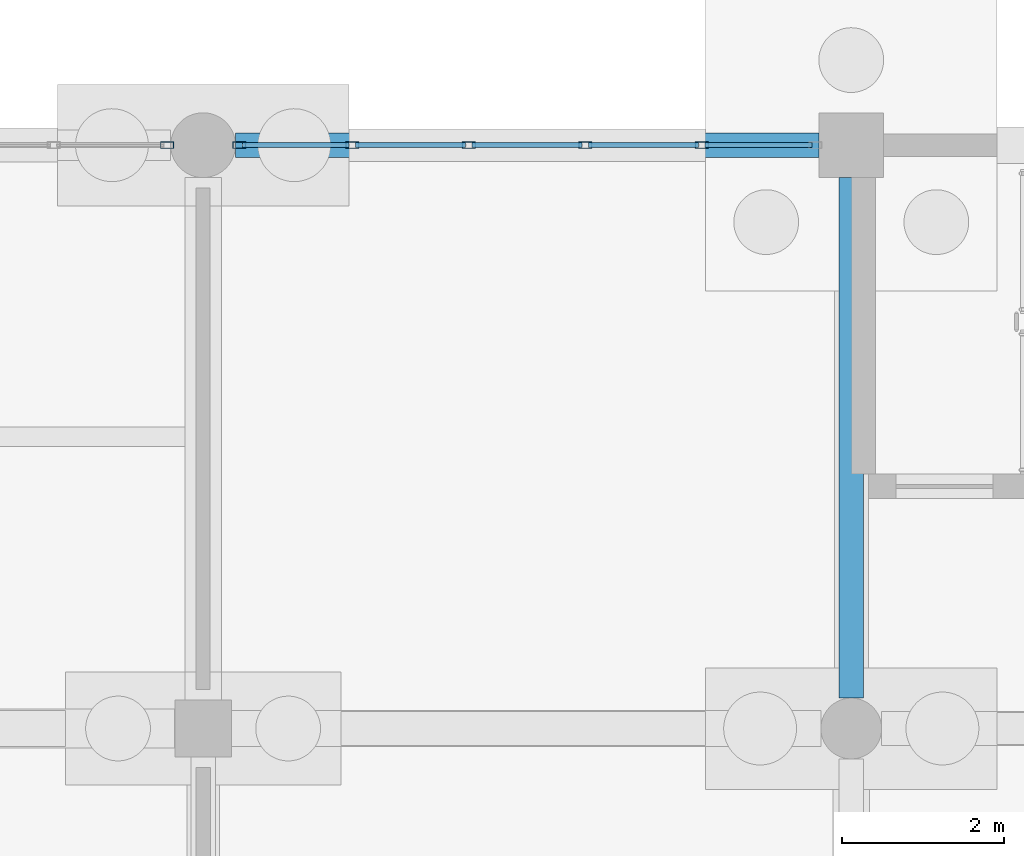
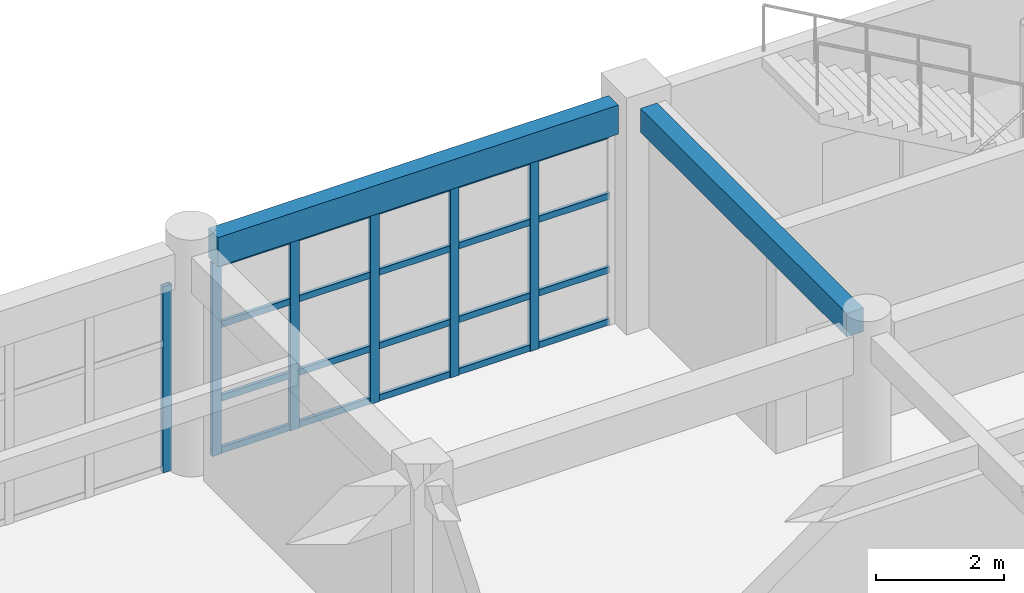
# One storey, part 64 of 166: 26 members, 2 beams, 2 elements without a shape of their own.
"""IFC4 building model written with IfcOpenShell, lengths in metres."""

import ifcopenshell
import ifcopenshell.guid

model = None  # the IFC model being written
_history = None  # IfcOwnerHistory: only IFC2X3 demands one
_inside = {}  # id of a spatial element -> (the spatial element, [elements in it])
_under = {}  # id of a project, library or spatial element -> (it, [spatial elements below it])
_declared = {}  # id of a project -> (the project, [libraries it declares])
_typed = {}  # id of a type object -> (the type object, [elements of that type])
_made_of = {}  # id of a material, layer set ... -> (it, [elements and type objects made of it])


def new_model(schema):
    """Start an empty IFC model of exactly this schema.

    Asked for "IFC4X3", IfcOpenShell would pick the latest addendum, in which some entities
    have other attributes; the version numbers below select the first issue.
    IFC2X3 requires an IfcOwnerHistory on every rooted entity: one is made here for all.
    """
    global model, _history
    if schema == "IFC4X3":
        model = ifcopenshell.file(schema_version=(4, 3, 0, 0))
    else:
        model = ifcopenshell.file(schema=schema)
    _inside.clear()
    _under.clear()
    _declared.clear()
    _typed.clear()
    _made_of.clear()
    _history = None
    if model.schema == "IFC2X3":
        org = make("IfcOrganization", Name="unknown")
        user = make(
            "IfcPersonAndOrganization",
            ThePerson=make("IfcPerson", FamilyName="unknown"),
            TheOrganization=org,
        )
        app = make(
            "IfcApplication",
            ApplicationDeveloper=org,
            Version="unknown",
            ApplicationFullName="unknown",
            ApplicationIdentifier="unknown",
        )
        _history = make(
            "IfcOwnerHistory",
            OwningUser=user,
            OwningApplication=app,
            ChangeAction="ADDED",
            CreationDate=0,
        )
    return model


def make(cls, **values):
    """One entity of the class cls with the attributes given. An attribute that is None is left unset."""
    return model.create_entity(
        cls, **{name: value for name, value in values.items() if value is not None}
    )


def rooted(cls, **values):
    """An entity with a GlobalId (a new one), such as an element, a storey or a relation."""
    return make(cls, GlobalId=ifcopenshell.guid.new(), OwnerHistory=_history, **values)


def si_unit(unit_type, name, prefix=None):
    """IfcSIUnit, for example si_unit("LENGTHUNIT", "METRE", prefix="MILLI")."""
    return make("IfcSIUnit", UnitType=unit_type, Prefix=prefix, Name=name)


def assignment(units):
    """IfcUnitAssignment: the units of a project."""
    return None if units is None else make("IfcUnitAssignment", Units=units)


def point(xyz):
    """IfcCartesianPoint."""
    return None if xyz is None else make("IfcCartesianPoint", Coordinates=xyz)


def direction(xyz):
    """IfcDirection."""
    return None if xyz is None else make("IfcDirection", DirectionRatios=xyz)


def frame(location, z_axis=None, x_axis=None):
    """IfcAxis2Placement3D, a coordinate frame: its origin and axes. An axis left out is left unset."""
    return make(
        "IfcAxis2Placement3D",
        Location=point(location),
        Axis=direction(z_axis),
        RefDirection=direction(x_axis),
    )


def frame_2d(location, x_axis=None):
    """IfcAxis2Placement2D, a coordinate frame in the plane: its origin and x axis."""
    return make(
        "IfcAxis2Placement2D", Location=point(location), RefDirection=direction(x_axis)
    )


def origin():
    """The frame at (0, 0, 0) with its axes left unset."""
    return frame((0.0, 0.0, 0.0))


def origin_2d():
    """The frame at (0, 0) in the plane with its x axis left unset."""
    return frame_2d((0.0, 0.0))


def place(relative_to, where):
    """IfcLocalPlacement: puts the frame where relative to a parent placement (None: the world)."""
    return make(
        "IfcLocalPlacement", PlacementRelTo=relative_to, RelativePlacement=where
    )


def context(
    kind, dimensions, precision=None, world=None, true_north=None, identifier=None
):
    """IfcGeometricRepresentationContext, for example the 3D "Model" context."""
    return make(
        "IfcGeometricRepresentationContext",
        ContextIdentifier=identifier,
        ContextType=kind,
        CoordinateSpaceDimension=dimensions,
        Precision=precision,
        WorldCoordinateSystem=world,
        TrueNorth=true_north,
    )


def subcontext(parent, identifier, kind, view, scale=None):
    """IfcGeometricRepresentationSubContext, for example "Body" below "Model"."""
    return make(
        "IfcGeometricRepresentationSubContext",
        ContextIdentifier=identifier,
        ContextType=kind,
        ParentContext=parent,
        TargetScale=scale,
        TargetView=view,
    )


def project(units=None, contexts=None):
    """IfcProject with its units and contexts."""
    return rooted(
        "IfcProject",
        Name="project",
        RepresentationContexts=contexts,
        UnitsInContext=assignment(units),
    )


def spatial(cls, under=None, at=None, **own):
    """A site, building, storey or space (cls), placed at a placement, below another one or the project."""
    s = rooted(cls, ObjectPlacement=at, **own)
    if under is not None:
        _under.setdefault(under.id(), (under, []))[1].append(s)
    return s


def profile(cls, at=None, kind="AREA", **sizes):
    """A parametric profile (cls). Its sizes go by their IFC names, for example OverallWidth=200.0."""
    return make(cls, ProfileType=kind, Position=at, **sizes)


def rectangle(**sizes):
    """IfcRectangleProfileDef."""
    return profile("IfcRectangleProfileDef", **sizes)


def hollow_rectangle(**sizes):
    """IfcRectangleHollowProfileDef."""
    return profile("IfcRectangleHollowProfileDef", **sizes)


def extrude(swept, where, along, depth):
    """IfcExtrudedAreaSolid: the profile swept, set in the frame where, extruded along a direction by depth."""
    return make(
        "IfcExtrudedAreaSolid",
        SweptArea=swept,
        Position=where,
        ExtrudedDirection=direction(along),
        Depth=depth,
    )


def shape(context_of_items, identifier, shape_type, items):
    """IfcShapeRepresentation: the items that make up one representation, for example the "Body"."""
    return make(
        "IfcShapeRepresentation",
        ContextOfItems=context_of_items,
        RepresentationIdentifier=identifier,
        RepresentationType=shape_type,
        Items=items,
    )


def material(Name=None, Category=None):
    """IfcMaterial."""
    return make("IfcMaterial", Name=Name, Category=Category)


def material_profile(
    of_material, cross_section, Name=None, Category=None, Priority=None
):
    """IfcMaterialProfile: a cross section and its material."""
    return make(
        "IfcMaterialProfile",
        Name=Name,
        Material=of_material,
        Profile=cross_section,
        Priority=Priority,
        Category=Category,
    )


def profile_set(profiles, Name=None, composite=None):
    """IfcMaterialProfileSet."""
    return make(
        "IfcMaterialProfileSet",
        Name=Name,
        MaterialProfiles=profiles,
        CompositeProfile=composite,
    )


def made_of(thing, what):
    """Note that an element or type object is made of a material, layer set ...; save() writes the relation."""
    if what is not None:
        _made_of.setdefault(what.id(), (what, []))[1].append(thing)
    return thing


def type_object(cls, material=None, **own):
    """A type object (cls), such as IfcWallType, which elements share."""
    return made_of(rooted(cls, **own), material)


def element(
    cls,
    number,
    at=None,
    inside=None,
    cuts=None,
    type_object=None,
    material=None,
    context=None,
    identifier="Body",
    shape_type=None,
    held_by="IfcProductDefinitionShape",
    body=None,
    shapes=None,
    **own,
):
    """One element of the class cls, such as IfcWall. Its Tag is "e" and its number.

    at: its placement. inside: the storey or other place that contains it. cuts: it is an
    opening in that element (IfcRelVoidsElement). A single representation is given by context,
    identifier, shape_type and body (its items); several are given by shapes. held_by: the class
    of the entity that holds the representations. save() writes the other relations.
    """
    e = rooted(cls, Tag="e%d" % number, ObjectPlacement=at, **own)
    if body is not None:
        shapes = [shape(context, identifier, shape_type, body)]
    if shapes is not None:
        e.Representation = make(held_by, Representations=shapes)
    if inside is not None:
        _inside.setdefault(inside.id(), (inside, []))[1].append(e)
    if cuts is not None:
        rooted(
            "IfcRelVoidsElement", RelatingBuildingElement=cuts, RelatedOpeningElement=e
        )
    if type_object is not None:
        _typed.setdefault(type_object.id(), (type_object, []))[1].append(e)
    return made_of(e, material)


def aggregate(whole, parts):
    """IfcRelAggregates: a whole, such as a stair, and the parts it consists of."""
    return rooted("IfcRelAggregates", RelatingObject=whole, RelatedObjects=parts)


def save(model, path):
    """Write the relations noted so far, then the file.

    IfcRelAggregates (storeys below a building ...), IfcRelContainedInSpatialStructure (elements
    in a storey), IfcRelDefinesByType, IfcRelAssociatesMaterial and IfcRelDeclares: one each for
    every whole, place, type object, material and project.
    """
    for whole, parts in _under.values():
        aggregate(whole, parts)
    for where, things in _inside.values():
        rooted(
            "IfcRelContainedInSpatialStructure",
            RelatedElements=things,
            RelatingStructure=where,
        )
    for kind, things in _typed.values():
        rooted("IfcRelDefinesByType", RelatedObjects=things, RelatingType=kind)
    for what, things in _made_of.values():
        rooted("IfcRelAssociatesMaterial", RelatedObjects=things, RelatingMaterial=what)
    for by, libraries in _declared.values():
        rooted("IfcRelDeclares", RelatingContext=by, RelatedDefinitions=libraries)
    model.write(path)


model = new_model("IFC4")

# Units and contexts
model_context = context("Model", 3, precision=1e-05, world=origin(), true_north=direction((0.0, 1.0)))
body_context = subcontext(model_context, "Body", "Model", "MODEL_VIEW")
ifc_project = project(units=[si_unit("LENGTHUNIT", "METRE"), si_unit("AREAUNIT", "SQUARE_METRE"), si_unit("VOLUMEUNIT", "CUBIC_METRE"), si_unit("PLANEANGLEUNIT", "RADIAN"), si_unit("MASSUNIT", "GRAM", prefix="KILO")], contexts=[model_context])

# Site, building, storey
site_placement = place(None, origin())
site = spatial("IfcSite", under=ifc_project, at=site_placement, CompositionType="ELEMENT")
building_placement = place(site_placement, origin())
building = spatial("IfcBuilding", under=site, at=building_placement, Name="Kharva Crest Polytechnic", CompositionType="ELEMENT")
storey_placement = place(building_placement, origin())
storey = spatial("IfcBuildingStorey", under=building, at=storey_placement, Name="L00", CompositionType="ELEMENT", Elevation=0.0)

# Beam
ifc_material_1 = material(Name="Concrete C35/45", Category="concrete")
ifc_material_profile_1 = material_profile(ifc_material_1, rectangle(XDim=0.300048828125, YDim=0.449951171875, at=origin_2d()), Name="RECT 300 X 450")
ifc_profile_set_1 = profile_set([ifc_material_profile_1], Name="Concrete C35/45")
beam_type_1 = type_object("IfcBeamType", Name="BM-RC-300X450", PredefinedType="BEAM", material=ifc_profile_set_1)
beam_1_placement = place(storey_placement, frame((56.0, 115.175048828125, 3.9951171875), z_axis=(0.0, 1.0, 0.0), x_axis=(-1.0, 0.0, 0.0)))
element("IfcBeam", 1, at=beam_1_placement, inside=storey, type_object=beam_type_1, Name="L00 Girder 8/R-S", PredefinedType="BEAM", context=body_context, shape_type="SweptSolid", body=[
    extrude(rectangle(XDim=0.300048828125, YDim=0.449951171875, at=origin_2d()), origin(), (0.0, 0.0, 1.0), 6.425048828125),
])

# Curtain wall, members
ifc_material_2 = material(Name="Tempered insulated glass", Category="glass")
curtain_wall_type = type_object("IfcCurtainWallType", Name="CW-SYS-COURT", PredefinedType="USERDEFINED", material=ifc_material_2)
curtain_wall_1_placement = place(storey_placement, origin())
curtain_wall_1 = element("IfcCurtainWall", 2, at=curtain_wall_1_placement, inside=storey, type_object=curtain_wall_type, Name="L00 Glazed Curtain Wall CW-029", ObjectType="CURTAIN WALL", PredefinedType="USERDEFINED")
ifc_material_3 = material(Name="Steel S355", Category="steel")
ifc_material_profile_2 = material_profile(ifc_material_3, hollow_rectangle(XDim=0.080078125, YDim=0.159912109375, WallThickness=0.0048828125, at=origin_2d()), Name="RHS 160X80X5.0")
ifc_profile_set_2 = profile_set([ifc_material_profile_2], Name="Steel S355")
member_type_1 = type_object("IfcMemberType", Name="CWM-RHS160X80", PredefinedType="MULLION", material=ifc_profile_set_2)
member_1_placement = place(storey_placement, frame((54.156982421875, 122.0, 0.0), z_axis=(0.0, 0.0, 1.0), x_axis=(0.0, -1.0, 0.0)))
member_1 = element("IfcMember", 3, at=member_1_placement, type_object=member_type_1, Name="CW-029 mullion 2", PredefinedType="MULLION", context=body_context, shape_type="SweptSolid", body=[
    extrude(hollow_rectangle(XDim=0.080078125, YDim=0.159912109375, WallThickness=0.0048828125, at=origin_2d()), origin(), (0.0, 0.0, 1.0), 3.669921875),
])
member_2_placement = place(storey_placement, frame((52.718994140625, 122.0, 0.0), z_axis=(0.0, 0.0, 1.0), x_axis=(0.0, -1.0, 0.0)))
member_2 = element("IfcMember", 4, at=member_2_placement, type_object=member_type_1, Name="CW-029 mullion 3", PredefinedType="MULLION", context=body_context, shape_type="SweptSolid", body=[
    extrude(hollow_rectangle(XDim=0.080078125, YDim=0.159912109375, WallThickness=0.0048828125, at=origin_2d()), origin(), (0.0, 0.0, 1.0), 3.669921875),
])
member_3_placement = place(storey_placement, frame((51.281005859375, 122.0, 0.0), z_axis=(0.0, 0.0, 1.0), x_axis=(0.0, -1.0, 0.0)))
member_3 = element("IfcMember", 5, at=member_3_placement, type_object=member_type_1, Name="CW-029 mullion 4", PredefinedType="MULLION", context=body_context, shape_type="SweptSolid", body=[
    extrude(hollow_rectangle(XDim=0.080078125, YDim=0.159912109375, WallThickness=0.0048828125, at=origin_2d()), origin(), (0.0, 0.0, 1.0), 3.669921875),
])
member_4_placement = place(storey_placement, frame((49.843017578125, 122.0, 0.0), z_axis=(0.0, 0.0, 1.0), x_axis=(0.0, -1.0, 0.0)))
member_4 = element("IfcMember", 6, at=member_4_placement, type_object=member_type_1, Name="CW-029 mullion 5", PredefinedType="MULLION", context=body_context, shape_type="SweptSolid", body=[
    extrude(hollow_rectangle(XDim=0.080078125, YDim=0.159912109375, WallThickness=0.0048828125, at=origin_2d()), origin(), (0.0, 0.0, 1.0), 3.669921875),
])
member_5_placement = place(storey_placement, frame((48.445068359375, 122.0, 0.0), z_axis=(0.0, 0.0, 1.0), x_axis=(0.0, -1.0, 0.0)))
member_5 = element("IfcMember", 7, at=member_5_placement, type_object=member_type_1, Name="CW-029 mullion 6", PredefinedType="MULLION", context=body_context, shape_type="SweptSolid", body=[
    extrude(hollow_rectangle(XDim=0.080078125, YDim=0.159912109375, WallThickness=0.0048828125, at=origin_2d()), origin(), (0.0, 0.0, 1.0), 3.669921875),
])

# Curtain wall, member
curtain_wall_2_placement = place(storey_placement, origin())
curtain_wall_2 = element("IfcCurtainWall", 8, at=curtain_wall_2_placement, inside=storey, type_object=curtain_wall_type, Name="L00 Glazed Curtain Wall CW-030", ObjectType="CURTAIN WALL", PredefinedType="USERDEFINED")
member_6_placement = place(storey_placement, frame((47.554931640625, 122.0, 0.0), z_axis=(0.0, 0.0, 1.0), x_axis=(0.0, -1.0, 0.0)))
member_6 = element("IfcMember", 9, at=member_6_placement, type_object=member_type_1, Name="CW-030 mullion 1", PredefinedType="MULLION", context=body_context, shape_type="SweptSolid", body=[
    extrude(hollow_rectangle(XDim=0.080078125, YDim=0.159912109375, WallThickness=0.0048828125, at=origin_2d()), origin(), (0.0, 0.0, 1.0), 3.5400390625),
])
aggregate(curtain_wall_2, [member_6])

# Member
ifc_material_profile_3 = material_profile(ifc_material_3, hollow_rectangle(XDim=0.06005859375, YDim=0.1201171875, WallThickness=0.00390625, at=origin_2d()), Name="RHS 120X60X4.0")
ifc_profile_set_3 = profile_set([ifc_material_profile_3], Name="Steel S355")
member_type_2 = type_object("IfcMemberType", Name="CWT-RHS120X60", PredefinedType="USERDEFINED", material=ifc_profile_set_3)
member_7_placement = place(storey_placement, frame((55.514892578125, 122.0, 0.06005859375), z_axis=(-1.0, 0.0, 0.0), x_axis=(0.0, -1.0, 0.0)))
member_7 = element("IfcMember", 10, at=member_7_placement, type_object=member_type_2, Name="CW-029 transom 1.1", ObjectType="TRANSOM", PredefinedType="USERDEFINED", context=body_context, shape_type="SweptSolid", body=[
    extrude(hollow_rectangle(XDim=0.06005859375, YDim=0.1201171875, WallThickness=0.00390625, at=origin_2d()), origin(), (0.0, 0.0, 1.0), 1.31787109375),
])

member_8_placement = place(storey_placement, frame((55.514892578125, 122.0, 1.050048828125), z_axis=(-1.0, 0.0, 0.0), x_axis=(0.0, -1.0, 0.0)))
member_8 = element("IfcMember", 11, at=member_8_placement, type_object=member_type_2, Name="CW-029 transom 1.2", ObjectType="TRANSOM", PredefinedType="USERDEFINED", context=body_context, shape_type="SweptSolid", body=[
    extrude(hollow_rectangle(XDim=0.06005859375, YDim=0.1201171875, WallThickness=0.00390625, at=origin_2d()), origin(), (0.0, 0.0, 1.0), 1.31787109375),
])

member_9_placement = place(storey_placement, frame((55.514892578125, 122.0, 2.449951171875), z_axis=(-1.0, 0.0, 0.0), x_axis=(0.0, -1.0, 0.0)))
member_9 = element("IfcMember", 12, at=member_9_placement, type_object=member_type_2, Name="CW-029 transom 1.3", ObjectType="TRANSOM", PredefinedType="USERDEFINED", context=body_context, shape_type="SweptSolid", body=[
    extrude(hollow_rectangle(XDim=0.06005859375, YDim=0.1201171875, WallThickness=0.00390625, at=origin_2d()), origin(), (0.0, 0.0, 1.0), 1.31787109375),
])

member_10_placement = place(storey_placement, frame((55.514892578125, 122.0, 3.610107421875), z_axis=(-1.0, 0.0, 0.0), x_axis=(0.0, -1.0, 0.0)))
member_10 = element("IfcMember", 13, at=member_10_placement, type_object=member_type_2, Name="CW-029 transom 1.4", ObjectType="TRANSOM", PredefinedType="USERDEFINED", context=body_context, shape_type="SweptSolid", body=[
    extrude(hollow_rectangle(XDim=0.06005859375, YDim=0.1201171875, WallThickness=0.00390625, at=origin_2d()), origin(), (0.0, 0.0, 1.0), 1.31787109375),
])

member_11_placement = place(storey_placement, frame((54.116943359375, 122.0, 0.06005859375), z_axis=(-1.0, 0.0, 0.0), x_axis=(0.0, -1.0, 0.0)))
member_11 = element("IfcMember", 14, at=member_11_placement, type_object=member_type_2, Name="CW-029 transom 2.1", ObjectType="TRANSOM", PredefinedType="USERDEFINED", context=body_context, shape_type="SweptSolid", body=[
    extrude(hollow_rectangle(XDim=0.06005859375, YDim=0.1201171875, WallThickness=0.00390625, at=origin_2d()), origin(), (0.0, 0.0, 1.0), 1.35791015625),
])

member_12_placement = place(storey_placement, frame((54.116943359375, 122.0, 1.050048828125), z_axis=(-1.0, 0.0, 0.0), x_axis=(0.0, -1.0, 0.0)))
member_12 = element("IfcMember", 15, at=member_12_placement, type_object=member_type_2, Name="CW-029 transom 2.2", ObjectType="TRANSOM", PredefinedType="USERDEFINED", context=body_context, shape_type="SweptSolid", body=[
    extrude(hollow_rectangle(XDim=0.06005859375, YDim=0.1201171875, WallThickness=0.00390625, at=origin_2d()), origin(), (0.0, 0.0, 1.0), 1.35791015625),
])

member_13_placement = place(storey_placement, frame((54.116943359375, 122.0, 2.449951171875), z_axis=(-1.0, 0.0, 0.0), x_axis=(0.0, -1.0, 0.0)))
member_13 = element("IfcMember", 16, at=member_13_placement, type_object=member_type_2, Name="CW-029 transom 2.3", ObjectType="TRANSOM", PredefinedType="USERDEFINED", context=body_context, shape_type="SweptSolid", body=[
    extrude(hollow_rectangle(XDim=0.06005859375, YDim=0.1201171875, WallThickness=0.00390625, at=origin_2d()), origin(), (0.0, 0.0, 1.0), 1.35791015625),
])

member_14_placement = place(storey_placement, frame((54.116943359375, 122.0, 3.610107421875), z_axis=(-1.0, 0.0, 0.0), x_axis=(0.0, -1.0, 0.0)))
member_14 = element("IfcMember", 17, at=member_14_placement, type_object=member_type_2, Name="CW-029 transom 2.4", ObjectType="TRANSOM", PredefinedType="USERDEFINED", context=body_context, shape_type="SweptSolid", body=[
    extrude(hollow_rectangle(XDim=0.06005859375, YDim=0.1201171875, WallThickness=0.00390625, at=origin_2d()), origin(), (0.0, 0.0, 1.0), 1.35791015625),
])

member_15_placement = place(storey_placement, frame((52.678955078125, 122.0, 0.06005859375), z_axis=(-1.0, 0.0, 0.0), x_axis=(0.0, -1.0, 0.0)))
member_15 = element("IfcMember", 18, at=member_15_placement, type_object=member_type_2, Name="CW-029 transom 3.1", ObjectType="TRANSOM", PredefinedType="USERDEFINED", context=body_context, shape_type="SweptSolid", body=[
    extrude(hollow_rectangle(XDim=0.06005859375, YDim=0.1201171875, WallThickness=0.00390625, at=origin_2d()), origin(), (0.0, 0.0, 1.0), 1.35791015625),
])

member_16_placement = place(storey_placement, frame((52.678955078125, 122.0, 1.050048828125), z_axis=(-1.0, 0.0, 0.0), x_axis=(0.0, -1.0, 0.0)))
member_16 = element("IfcMember", 19, at=member_16_placement, type_object=member_type_2, Name="CW-029 transom 3.2", ObjectType="TRANSOM", PredefinedType="USERDEFINED", context=body_context, shape_type="SweptSolid", body=[
    extrude(hollow_rectangle(XDim=0.06005859375, YDim=0.1201171875, WallThickness=0.00390625, at=origin_2d()), origin(), (0.0, 0.0, 1.0), 1.35791015625),
])

member_17_placement = place(storey_placement, frame((52.678955078125, 122.0, 2.449951171875), z_axis=(-1.0, 0.0, 0.0), x_axis=(0.0, -1.0, 0.0)))
member_17 = element("IfcMember", 20, at=member_17_placement, type_object=member_type_2, Name="CW-029 transom 3.3", ObjectType="TRANSOM", PredefinedType="USERDEFINED", context=body_context, shape_type="SweptSolid", body=[
    extrude(hollow_rectangle(XDim=0.06005859375, YDim=0.1201171875, WallThickness=0.00390625, at=origin_2d()), origin(), (0.0, 0.0, 1.0), 1.35791015625),
])

member_18_placement = place(storey_placement, frame((52.678955078125, 122.0, 3.610107421875), z_axis=(-1.0, 0.0, 0.0), x_axis=(0.0, -1.0, 0.0)))
member_18 = element("IfcMember", 21, at=member_18_placement, type_object=member_type_2, Name="CW-029 transom 3.4", ObjectType="TRANSOM", PredefinedType="USERDEFINED", context=body_context, shape_type="SweptSolid", body=[
    extrude(hollow_rectangle(XDim=0.06005859375, YDim=0.1201171875, WallThickness=0.00390625, at=origin_2d()), origin(), (0.0, 0.0, 1.0), 1.35791015625),
])

member_19_placement = place(storey_placement, frame((51.240966796875, 122.0, 0.06005859375), z_axis=(-1.0, 0.0, 0.0), x_axis=(0.0, -1.0, 0.0)))
member_19 = element("IfcMember", 22, at=member_19_placement, type_object=member_type_2, Name="CW-029 transom 4.1", ObjectType="TRANSOM", PredefinedType="USERDEFINED", context=body_context, shape_type="SweptSolid", body=[
    extrude(hollow_rectangle(XDim=0.06005859375, YDim=0.1201171875, WallThickness=0.00390625, at=origin_2d()), origin(), (0.0, 0.0, 1.0), 1.35791015625),
])

member_20_placement = place(storey_placement, frame((51.240966796875, 122.0, 1.050048828125), z_axis=(-1.0, 0.0, 0.0), x_axis=(0.0, -1.0, 0.0)))
member_20 = element("IfcMember", 23, at=member_20_placement, type_object=member_type_2, Name="CW-029 transom 4.2", ObjectType="TRANSOM", PredefinedType="USERDEFINED", context=body_context, shape_type="SweptSolid", body=[
    extrude(hollow_rectangle(XDim=0.06005859375, YDim=0.1201171875, WallThickness=0.00390625, at=origin_2d()), origin(), (0.0, 0.0, 1.0), 1.35791015625),
])

member_21_placement = place(storey_placement, frame((51.240966796875, 122.0, 2.449951171875), z_axis=(-1.0, 0.0, 0.0), x_axis=(0.0, -1.0, 0.0)))
member_21 = element("IfcMember", 24, at=member_21_placement, type_object=member_type_2, Name="CW-029 transom 4.3", ObjectType="TRANSOM", PredefinedType="USERDEFINED", context=body_context, shape_type="SweptSolid", body=[
    extrude(hollow_rectangle(XDim=0.06005859375, YDim=0.1201171875, WallThickness=0.00390625, at=origin_2d()), origin(), (0.0, 0.0, 1.0), 1.35791015625),
])

member_22_placement = place(storey_placement, frame((51.240966796875, 122.0, 3.610107421875), z_axis=(-1.0, 0.0, 0.0), x_axis=(0.0, -1.0, 0.0)))
member_22 = element("IfcMember", 25, at=member_22_placement, type_object=member_type_2, Name="CW-029 transom 4.4", ObjectType="TRANSOM", PredefinedType="USERDEFINED", context=body_context, shape_type="SweptSolid", body=[
    extrude(hollow_rectangle(XDim=0.06005859375, YDim=0.1201171875, WallThickness=0.00390625, at=origin_2d()), origin(), (0.0, 0.0, 1.0), 1.35791015625),
])

member_23_placement = place(storey_placement, frame((49.802978515625, 122.0, 0.06005859375), z_axis=(-1.0, 0.0, 0.0), x_axis=(0.0, -1.0, 0.0)))
member_23 = element("IfcMember", 26, at=member_23_placement, type_object=member_type_2, Name="CW-029 transom 5.1", ObjectType="TRANSOM", PredefinedType="USERDEFINED", context=body_context, shape_type="SweptSolid", body=[
    extrude(hollow_rectangle(XDim=0.06005859375, YDim=0.1201171875, WallThickness=0.00390625, at=origin_2d()), origin(), (0.0, 0.0, 1.0), 1.31787109375),
])

member_24_placement = place(storey_placement, frame((49.802978515625, 122.0, 1.050048828125), z_axis=(-1.0, 0.0, 0.0), x_axis=(0.0, -1.0, 0.0)))
member_24 = element("IfcMember", 27, at=member_24_placement, type_object=member_type_2, Name="CW-029 transom 5.2", ObjectType="TRANSOM", PredefinedType="USERDEFINED", context=body_context, shape_type="SweptSolid", body=[
    extrude(hollow_rectangle(XDim=0.06005859375, YDim=0.1201171875, WallThickness=0.00390625, at=origin_2d()), origin(), (0.0, 0.0, 1.0), 1.31787109375),
])

member_25_placement = place(storey_placement, frame((49.802978515625, 122.0, 2.449951171875), z_axis=(-1.0, 0.0, 0.0), x_axis=(0.0, -1.0, 0.0)))
member_25 = element("IfcMember", 28, at=member_25_placement, type_object=member_type_2, Name="CW-029 transom 5.3", ObjectType="TRANSOM", PredefinedType="USERDEFINED", context=body_context, shape_type="SweptSolid", body=[
    extrude(hollow_rectangle(XDim=0.06005859375, YDim=0.1201171875, WallThickness=0.00390625, at=origin_2d()), origin(), (0.0, 0.0, 1.0), 1.31787109375),
])

member_26_placement = place(storey_placement, frame((49.802978515625, 122.0, 3.610107421875), z_axis=(-1.0, 0.0, 0.0), x_axis=(0.0, -1.0, 0.0)))
member_26 = element("IfcMember", 29, at=member_26_placement, type_object=member_type_2, Name="CW-029 transom 5.4", ObjectType="TRANSOM", PredefinedType="USERDEFINED", context=body_context, shape_type="SweptSolid", body=[
    extrude(hollow_rectangle(XDim=0.06005859375, YDim=0.1201171875, WallThickness=0.00390625, at=origin_2d()), origin(), (0.0, 0.0, 1.0), 1.31787109375),
])

aggregate(curtain_wall_1, [member_1, member_2, member_3, member_4, member_5, member_7, member_8, member_9, member_10, member_11, member_12, member_13, member_14, member_15, member_16, member_17, member_18, member_19, member_20, member_21, member_22, member_23, member_24, member_25, member_26])

# Beam
ifc_material_profile_4 = material_profile(ifc_material_1, rectangle(XDim=0.300048828125, YDim=0.550048828125, at=origin_2d()), Name="RECT 300 X 550")
ifc_profile_set_4 = profile_set([ifc_material_profile_4], Name="Concrete C35/45")
beam_type_2 = type_object("IfcBeamType", Name="SP-RC-300X550", PredefinedType="SPANDREL", material=ifc_profile_set_4)
beam_2_placement = place(storey_placement, frame((48.39990234375, 122.0, 3.945068359375), z_axis=(1.0, 0.0, 0.0), x_axis=(0.0, 1.0, 0.0)))
element("IfcBeam", 30, at=beam_2_placement, inside=storey, type_object=beam_type_2, Name="L00 Beam S/7-8", PredefinedType="SPANDREL", context=body_context, shape_type="SweptSolid", body=[
    extrude(rectangle(XDim=0.300048828125, YDim=0.550048828125, at=origin_2d()), origin(), (0.0, 0.0, 1.0), 7.2001953125),
])

save(model, "model.ifc")
